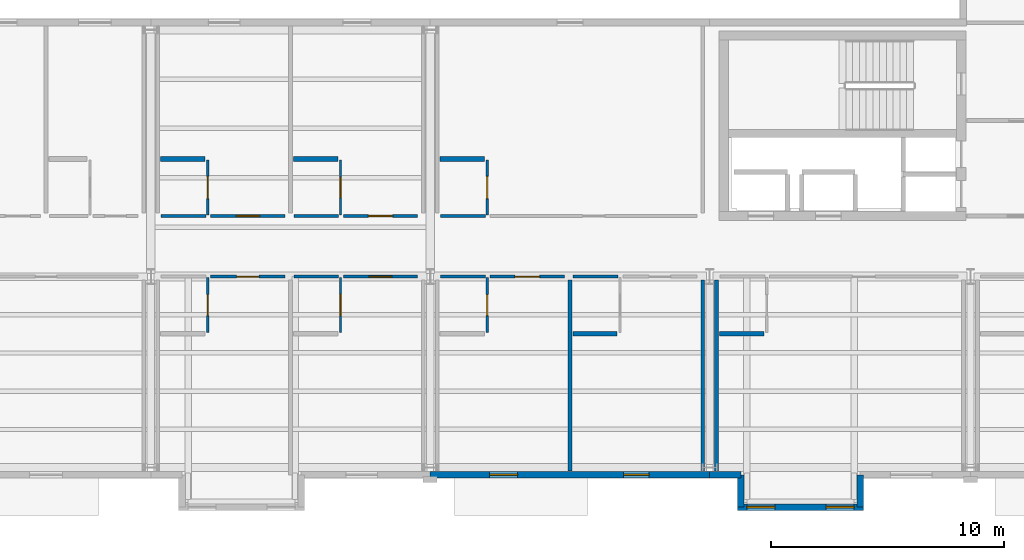
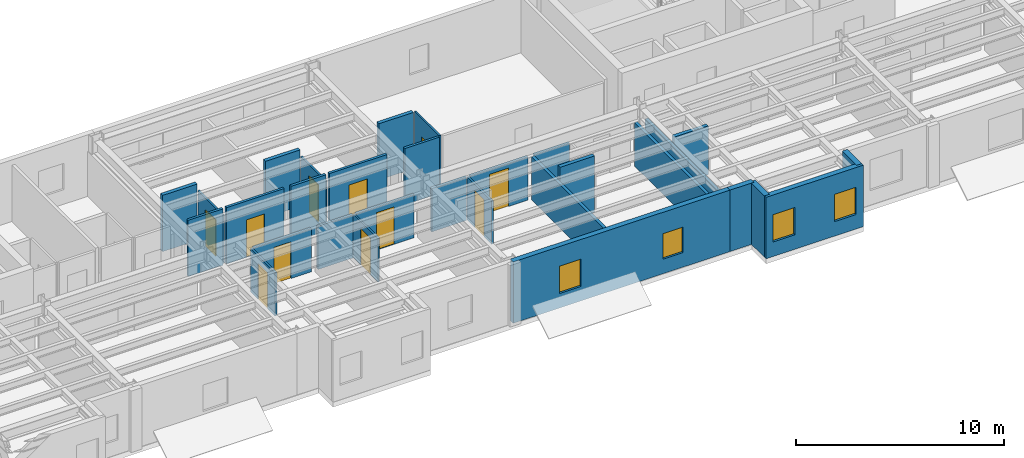
# One storey, part 20 of 34: 30 walls, 11 doors, 4 windows, 15 openings.
"""IFC4 building model written with IfcOpenShell, lengths in metres."""

from ifc_helpers import new_model, si_unit, direction, frame, frame_2d, origin, place, context, subcontext, project, spatial, rectangle, extrude, material, layer, layer_set, type_object, element, fill, save


model = new_model("IFC4")

# Units and contexts
model_context = context("Model", 3, precision=1e-05, world=origin(), true_north=direction((0.0, 1.0)))
body_context = subcontext(model_context, "Body", "Model", "MODEL_VIEW")
ifc_project = project(units=[si_unit("LENGTHUNIT", "METRE"), si_unit("AREAUNIT", "SQUARE_METRE"), si_unit("VOLUMEUNIT", "CUBIC_METRE"), si_unit("PLANEANGLEUNIT", "RADIAN"), si_unit("MASSUNIT", "GRAM", prefix="KILO")], contexts=[model_context])

# Site, building, storey
site_placement = place(None, origin())
site = spatial("IfcSite", under=ifc_project, at=site_placement, CompositionType="ELEMENT")
building_placement = place(site_placement, origin())
building = spatial("IfcBuilding", under=site, at=building_placement, Name="Sollismere Congress Hotel", CompositionType="ELEMENT")
storey_placement = place(building_placement, frame((0.0, 0.0, 23.39990234375)))
storey = spatial("IfcBuildingStorey", under=building, at=storey_placement, Name="L05", CompositionType="ELEMENT", Elevation=23.39990234375)

# Wall, openings, windows
ifc_material_1 = material(Name="Colorado Buff Sandstone Rainscreen on Insulated Backup", Category="masonry")
ifc_layer_1 = layer(ifc_material_1, 0.284912109375, Name="Colorado Buff Sandstone Rainscreen on Insulated Backup")
ifc_layer_set_1 = layer_set([ifc_layer_1], Name="Colorado Buff Sandstone Rainscreen on Insulated Backup")
wall_type_1 = type_object("IfcWallType", Name="WL-EXT285", PredefinedType="STANDARD", material=ifc_layer_set_1)
wall_1_placement = place(storey_placement, frame((124.0, -0.31005859375, 0.0), z_axis=(0.0, 0.0, 1.0), x_axis=(1.0, 0.0, 0.0)))
wall_1 = element("IfcWall", 1, at=wall_1_placement, inside=storey, type_object=wall_type_1, Name="Exterior wall EW-L05-597", PredefinedType="STANDARD", context=body_context, shape_type="SweptSolid", body=[
    extrude(rectangle(XDim=12.0, YDim=0.284912109375, at=frame_2d((6.0, 0.0))), origin(), (0.0, 0.0, 1.0), 3.60009765625),
])
opening_1_placement = place(wall_1_placement, frame((2.550048828125, 0.0, 0.85009765625)))
opening_1 = element("IfcOpeningElement", 2, at=opening_1_placement, cuts=wall_1, Name="Opening W-L05-446", PredefinedType="OPENING", context=body_context, shape_type="SweptSolid", body=[
    extrude(rectangle(XDim=1.199951171875, YDim=1.60009765625, at=frame_2d((0.60009765625, 0.800048828125))), frame((0.0, 0.15234375, 0.0), z_axis=(0.0, -1.0, 0.0), x_axis=(1.0, 0.0, 0.0)), (0.0, 0.0, 1.0), 0.304931640625),
])
opening_2_placement = place(wall_1_placement, frame((8.300048828125, 0.0, 0.85009765625)))
opening_2 = element("IfcOpeningElement", 3, at=opening_2_placement, cuts=wall_1, Name="Opening W-L05-447", PredefinedType="OPENING", context=body_context, shape_type="SweptSolid", body=[
    extrude(rectangle(XDim=1.10009765625, YDim=1.5, at=frame_2d((0.550048828125, 0.75))), frame((0.0, 0.15234375, 0.0), z_axis=(0.0, -1.0, 0.0), x_axis=(1.0, 0.0, 0.0)), (0.0, 0.0, 1.0), 0.304931640625),
])
ifc_material_2 = material(Name="Thermally Broken Bronze Aluminum & Low-E Glass", Category="aluminium")
window_type_1 = type_object("IfcWindowType", Name="WN-P110x150", PartitioningType="SINGLE_PANEL", PredefinedType="WINDOW", material=ifc_material_2)
window_1_placement = place(opening_2_placement, origin())
window_1 = element("IfcWindow", 4, at=window_1_placement, inside=storey, type_object=window_type_1, Name="WIN-W-L05-447", OverallHeight=1.5, OverallWidth=1.10009765625, PartitioningType="SINGLE_PANEL", PredefinedType="WINDOW", context=body_context, shape_type="SweptSolid", body=[
    extrude(rectangle(XDim=1.10009765625, YDim=1.5, at=frame_2d((0.550048828125, 0.75))), frame((0.0, 0.030029296875, 0.0), z_axis=(0.0, -1.0, 0.0), x_axis=(1.0, 0.0, 0.0)), (0.0, 0.0, 1.0), 0.06005859375),
])
fill(opening_2, window_1)
window_type_2 = type_object("IfcWindowType", Name="WN-P120x160", PartitioningType="SINGLE_PANEL", PredefinedType="WINDOW", material=ifc_material_2)
window_2_placement = place(opening_1_placement, origin())
window_2 = element("IfcWindow", 5, at=window_2_placement, inside=storey, type_object=window_type_2, Name="WIN-W-L05-446", OverallHeight=1.60009765625, OverallWidth=1.199951171875, PartitioningType="SINGLE_PANEL", PredefinedType="WINDOW", context=body_context, shape_type="SweptSolid", body=[
    extrude(rectangle(XDim=1.199951171875, YDim=1.60009765625, at=frame_2d((0.60009765625, 0.800048828125))), frame((0.0, 0.030029296875, 0.0), z_axis=(0.0, -1.0, 0.0), x_axis=(1.0, 0.0, 0.0)), (0.0, 0.0, 1.0), 0.06005859375),
])
fill(opening_1, window_2)

# Wall
wall_2_placement = place(storey_placement, frame((136.0, -0.31005859375, 0.0), z_axis=(0.0, 0.0, 1.0), x_axis=(1.0, 0.0, 0.0)))
element("IfcWall", 6, at=wall_2_placement, inside=storey, type_object=wall_type_1, Name="Exterior wall EW-L05-599", PredefinedType="STANDARD", context=body_context, shape_type="SweptSolid", body=[
    extrude(rectangle(XDim=1.340087890625, YDim=0.284912109375, at=frame_2d((0.669921875, 0.0))), origin(), (0.0, 0.0, 1.0), 3.60009765625),
])

# Wall, openings, windows
wall_3_placement = place(storey_placement, frame((137.199951171875, -1.699951171875, 0.0), z_axis=(0.0, 0.0, 1.0), x_axis=(1.0, 0.0, 0.0)))
wall_3 = element("IfcWall", 7, at=wall_3_placement, inside=storey, type_object=wall_type_1, Name="Exterior wall EW-L05-601", PredefinedType="STANDARD", context=body_context, shape_type="SweptSolid", body=[
    extrude(rectangle(XDim=5.400146484375, YDim=0.284912109375, at=frame_2d((2.7001953125, 0.0))), origin(), (0.0, 0.0, 1.0), 3.60009765625),
])
opening_3_placement = place(wall_3_placement, frame((0.39990234375, 0.0, 0.85009765625)))
opening_3 = element("IfcOpeningElement", 8, at=opening_3_placement, cuts=wall_3, Name="Opening W-L05-449", PredefinedType="OPENING", context=body_context, shape_type="SweptSolid", body=[
    extrude(rectangle(XDim=1.199951171875, YDim=1.60009765625, at=frame_2d((0.60009765625, 0.800048828125))), frame((0.0, 0.15234375, 0.0), z_axis=(0.0, -1.0, 0.0), x_axis=(1.0, 0.0, 0.0)), (0.0, 0.0, 1.0), 0.304931640625),
])
opening_4_placement = place(wall_3_placement, frame((3.800048828125, 0.0, 0.85009765625)))
opening_4 = element("IfcOpeningElement", 9, at=opening_4_placement, cuts=wall_3, Name="Opening W-L05-450", PredefinedType="OPENING", context=body_context, shape_type="SweptSolid", body=[
    extrude(rectangle(XDim=1.199951171875, YDim=1.60009765625, at=frame_2d((0.60009765625, 0.800048828125))), frame((0.0, 0.15234375, 0.0), z_axis=(0.0, -1.0, 0.0), x_axis=(1.0, 0.0, 0.0)), (0.0, 0.0, 1.0), 0.304931640625),
])
window_3_placement = place(opening_3_placement, origin())
window_3 = element("IfcWindow", 10, at=window_3_placement, inside=storey, type_object=window_type_2, Name="WIN-W-L05-449", OverallHeight=1.60009765625, OverallWidth=1.199951171875, PartitioningType="SINGLE_PANEL", PredefinedType="WINDOW", context=body_context, shape_type="SweptSolid", body=[
    extrude(rectangle(XDim=1.199951171875, YDim=1.60009765625, at=frame_2d((0.60009765625, 0.800048828125))), frame((0.0, 0.030029296875, 0.0), z_axis=(0.0, -1.0, 0.0), x_axis=(1.0, 0.0, 0.0)), (0.0, 0.0, 1.0), 0.06005859375),
])
fill(opening_3, window_3)
window_4_placement = place(opening_4_placement, origin())
window_4 = element("IfcWindow", 11, at=window_4_placement, inside=storey, type_object=window_type_2, Name="WIN-W-L05-450", OverallHeight=1.60009765625, OverallWidth=1.199951171875, PartitioningType="SINGLE_PANEL", PredefinedType="WINDOW", context=body_context, shape_type="SweptSolid", body=[
    extrude(rectangle(XDim=1.199951171875, YDim=1.60009765625, at=frame_2d((0.60009765625, 0.800048828125))), frame((0.0, 0.030029296875, 0.0), z_axis=(0.0, -1.0, 0.0), x_axis=(1.0, 0.0, 0.0)), (0.0, 0.0, 1.0), 0.06005859375),
])
fill(opening_4, window_4)

# Walls
for number, where, z_axis, x_axis, name in (
    (12, (137.340087890625, -0.31005859375, 0.0), (0.0, 0.0, 1.0), (0.0, -1.0, 0.0), "Exterior wall EW-L05-602"),
    (13, (142.4599609375, -1.699951171875, 0.0), (0.0, 0.0, 1.0), (0.0, 1.0, 0.0), "Exterior wall EW-L05-603"),
):
    element("IfcWall", number, at=place(storey_placement, frame(where, z_axis=z_axis, x_axis=x_axis)), inside=storey, type_object=wall_type_1, Name=name, PredefinedType="STANDARD", context=body_context, shape_type="SweptSolid", body=[
        extrude(rectangle(XDim=1.389892578125, YDim=0.284912109375, at=frame_2d((0.69482421875, 0.0))), origin(), (0.0, 0.0, 1.0), 3.60009765625),
    ])
ifc_material_3 = material(Name="Moisture-Resistant Shaft Gypsum Assembly")
ifc_layer_2 = layer(ifc_material_3, 0.199951171875, Name="Moisture-Resistant Shaft Gypsum Assembly")
ifc_layer_set_2 = layer_set([ifc_layer_2], Name="Moisture-Resistant Shaft Gypsum Assembly")
wall_type_2 = type_object("IfcWallType", Name="WL-PLM200", PredefinedType="PLUMBINGWALL", material=ifc_layer_set_2)
wall_4_placement = place(storey_placement, frame((112.419921875, 13.25, 0.0), z_axis=(0.0, 0.0, 1.0), x_axis=(1.0, 0.0, 0.0)))
element("IfcWall", 14, at=wall_4_placement, inside=storey, type_object=wall_type_2, Name="Interior wall IW-L05-1847", PredefinedType="PLUMBINGWALL", context=body_context, shape_type="SweptSolid", body=[
    extrude(rectangle(XDim=1.91015625, YDim=0.199951171875, at=frame_2d((0.955078125, 0.0))), origin(), (0.0, 0.0, 1.0), 3.300048828125),
])
for number, where, z_axis, x_axis, name in (
    (15, (118.1201171875, 13.25, 0.0), (0.0, 0.0, 1.0), (1.0, 0.0, 0.0), "Interior wall IW-L05-1852"),
    (16, (130.1201171875, 5.75, 0.0), (0.0, 0.0, 1.0), (1.0, 0.0, 0.0), "Interior wall IW-L05-1863"),
):
    element("IfcWall", number, at=place(storey_placement, frame(where, z_axis=z_axis, x_axis=x_axis)), inside=storey, type_object=wall_type_2, Name=name, PredefinedType="PLUMBINGWALL", context=body_context, shape_type="SweptSolid", body=[
        extrude(rectangle(XDim=1.909912109375, YDim=0.199951171875, at=frame_2d((0.955078125, 0.0))), origin(), (0.0, 0.0, 1.0), 3.300048828125),
    ])
wall_5_placement = place(storey_placement, frame((124.419921875, 13.25, 0.0), z_axis=(0.0, 0.0, 1.0), x_axis=(1.0, 0.0, 0.0)))
element("IfcWall", 17, at=wall_5_placement, inside=storey, type_object=wall_type_2, Name="Interior wall IW-L05-1869", PredefinedType="PLUMBINGWALL", context=body_context, shape_type="SweptSolid", body=[
    extrude(rectangle(XDim=1.91015625, YDim=0.199951171875, at=frame_2d((0.955078125, 0.0))), origin(), (0.0, 0.0, 1.0), 3.300048828125),
])
wall_6_placement = place(storey_placement, frame((136.419921875, 5.75, 0.0), z_axis=(0.0, 0.0, 1.0), x_axis=(1.0, 0.0, 0.0)))
element("IfcWall", 18, at=wall_6_placement, inside=storey, type_object=wall_type_2, Name="Interior wall IW-L05-1875", PredefinedType="PLUMBINGWALL", context=body_context, shape_type="SweptSolid", body=[
    extrude(rectangle(XDim=1.91015625, YDim=0.199951171875, at=frame_2d((0.955078125, 0.0))), origin(), (0.0, 0.0, 1.0), 2.85302734375),
])

# Wall, opening, door
ifc_material_4 = material(Name="Moisture-Resistant Gypsum Partition")
ifc_layer_3 = layer(ifc_material_4, 0.10009765625, Name="Moisture-Resistant Gypsum Partition")
ifc_layer_set_3 = layer_set([ifc_layer_3], Name="Moisture-Resistant Gypsum Partition")
wall_type_3 = type_object("IfcWallType", Name="WL-PRT100", PredefinedType="PARTITIONING", material=ifc_layer_set_3)
wall_7_placement = place(storey_placement, frame((114.449951171875, 5.7900390625, 0.0), z_axis=(0.0, 0.0, 1.0), x_axis=(0.0, 1.0, 0.0)))
wall_7 = element("IfcWall", 19, at=wall_7_placement, inside=storey, type_object=wall_type_3, Name="Interior wall IW-L05-1835", PredefinedType="PARTITIONING", context=body_context, shape_type="SweptSolid", body=[
    extrude(rectangle(XDim=2.369873046875, YDim=0.10009765625, at=frame_2d((1.18505859375, 0.0))), origin(), (0.0, 0.0, 1.0), 2.5380859375),
])
opening_5_placement = place(wall_7_placement, frame((0.73291015625, 0.0, 0.0)))
opening_5 = element("IfcOpeningElement", 20, at=opening_5_placement, cuts=wall_7, Name="Opening D-L05-0648", PredefinedType="OPENING", context=body_context, shape_type="SweptSolid", body=[
    extrude(rectangle(XDim=0.905029296875, YDim=2.10009765625, at=frame_2d((0.45263671875, 1.050048828125))), frame((0.0, 0.06005859375, 0.0), z_axis=(0.0, -1.0, 0.0), x_axis=(1.0, 0.0, 0.0)), (0.0, 0.0, 1.0), 0.1201171875),
])
ifc_material_5 = material(Name="Moisture-Sealed Timber Bathroom Door", Category="wood")
door_type_1 = type_object("IfcDoorType", Name="DR-BT02", OperationType="NOTDEFINED", PredefinedType="DOOR", material=ifc_material_5)
door_1_placement = place(opening_5_placement, origin())
door_1 = element("IfcDoor", 21, at=door_1_placement, inside=storey, type_object=door_type_1, Name="En-suite bathroom door D-L05-0648", OperationType="SINGLE_SWING_LEFT", OverallHeight=2.10009765625, OverallWidth=0.905029296875, PredefinedType="DOOR", context=body_context, shape_type="SweptSolid", body=[
    extrude(rectangle(XDim=0.905029296875, YDim=2.10009765625, at=frame_2d((0.45263671875, 1.050048828125))), frame((0.0, 0.02490234375, 0.0), z_axis=(0.0, -1.0, 0.0), x_axis=(1.0, 0.0, 0.0)), (0.0, 0.0, 1.0), 0.050048828125),
])
fill(opening_5, door_1)

wall_8_placement = place(storey_placement, frame((120.14990234375, 5.7900390625, 0.0), z_axis=(0.0, 0.0, 1.0), x_axis=(0.0, 1.0, 0.0)))
wall_8 = element("IfcWall", 22, at=wall_8_placement, inside=storey, type_object=wall_type_3, Name="Interior wall IW-L05-1840", PredefinedType="PARTITIONING", context=body_context, shape_type="SweptSolid", body=[
    extrude(rectangle(XDim=2.369873046875, YDim=0.10009765625, at=frame_2d((1.18505859375, 0.0))), origin(), (0.0, 0.0, 1.0), 2.5380859375),
])
opening_6_placement = place(wall_8_placement, frame((0.719970703125, 0.0, 0.0)))
opening_6 = element("IfcOpeningElement", 23, at=opening_6_placement, cuts=wall_8, Name="Opening D-L05-0650", PredefinedType="OPENING", context=body_context, shape_type="SweptSolid", body=[
    extrude(rectangle(XDim=0.929931640625, YDim=2.139892578125, at=frame_2d((0.46484375, 1.06982421875))), frame((0.0, 0.06005859375, 0.0), z_axis=(0.0, -1.0, 0.0), x_axis=(1.0, 0.0, 0.0)), (0.0, 0.0, 1.0), 0.1201171875),
])
door_type_2 = type_object("IfcDoorType", Name="DR-BT03", OperationType="NOTDEFINED", PredefinedType="DOOR", material=ifc_material_5)
door_2_placement = place(opening_6_placement, origin())
door_2 = element("IfcDoor", 24, at=door_2_placement, inside=storey, type_object=door_type_2, Name="En-suite bathroom door D-L05-0650", OperationType="SINGLE_SWING_LEFT", OverallHeight=2.139892578125, OverallWidth=0.929931640625, PredefinedType="DOOR", context=body_context, shape_type="SweptSolid", body=[
    extrude(rectangle(XDim=0.929931640625, YDim=2.139892578125, at=frame_2d((0.46484375, 1.06982421875))), frame((0.0, 0.02490234375, 0.0), z_axis=(0.0, -1.0, 0.0), x_axis=(1.0, 0.0, 0.0)), (0.0, 0.0, 1.0), 0.050048828125),
])
fill(opening_6, door_2)

wall_9_placement = place(storey_placement, frame((114.449951171875, 10.840087890625, 0.0), z_axis=(0.0, 0.0, 1.0), x_axis=(0.0, 1.0, 0.0)))
wall_9 = element("IfcWall", 25, at=wall_9_placement, inside=storey, type_object=wall_type_3, Name="Interior wall IW-L05-1846", PredefinedType="PARTITIONING", context=body_context, shape_type="SweptSolid", body=[
    extrude(rectangle(XDim=2.369873046875, YDim=0.10009765625, at=frame_2d((1.18505859375, 0.0))), origin(), (0.0, 0.0, 1.0), 2.858154296875),
])
opening_7_placement = place(wall_9_placement, frame((0.7080078125, 0.0, 0.0)))
opening_7 = element("IfcOpeningElement", 26, at=opening_7_placement, cuts=wall_9, Name="Opening D-L05-0652", PredefinedType="OPENING", context=body_context, shape_type="SweptSolid", body=[
    extrude(rectangle(XDim=0.955078125, YDim=2.139892578125, at=frame_2d((0.4775390625, 1.06982421875))), frame((0.0, 0.06005859375, 0.0), z_axis=(0.0, -1.0, 0.0), x_axis=(1.0, 0.0, 0.0)), (0.0, 0.0, 1.0), 0.1201171875),
])
door_type_3 = type_object("IfcDoorType", Name="DR-BT04", OperationType="NOTDEFINED", PredefinedType="DOOR", material=ifc_material_5)
door_3_placement = place(opening_7_placement, origin())
door_3 = element("IfcDoor", 27, at=door_3_placement, inside=storey, type_object=door_type_3, Name="En-suite bathroom door D-L05-0652", OperationType="SINGLE_SWING_LEFT", OverallHeight=2.139892578125, OverallWidth=0.955078125, PredefinedType="DOOR", context=body_context, shape_type="SweptSolid", body=[
    extrude(rectangle(XDim=0.955078125, YDim=2.139892578125, at=frame_2d((0.4775390625, 1.06982421875))), frame((0.0, 0.02490234375, 0.0), z_axis=(0.0, -1.0, 0.0), x_axis=(1.0, 0.0, 0.0)), (0.0, 0.0, 1.0), 0.050048828125),
])
fill(opening_7, door_3)

wall_10_placement = place(storey_placement, frame((120.14990234375, 10.840087890625, 0.0), z_axis=(0.0, 0.0, 1.0), x_axis=(0.0, 1.0, 0.0)))
wall_10 = element("IfcWall", 28, at=wall_10_placement, inside=storey, type_object=wall_type_3, Name="Interior wall IW-L05-1851", PredefinedType="PARTITIONING", context=body_context, shape_type="SweptSolid", body=[
    extrude(rectangle(XDim=2.369873046875, YDim=0.10009765625, at=frame_2d((1.18505859375, 0.0))), origin(), (0.0, 0.0, 1.0), 2.858154296875),
])
opening_8_placement = place(wall_10_placement, frame((0.7451171875, 0.0, 0.0)))
opening_8 = element("IfcOpeningElement", 29, at=opening_8_placement, cuts=wall_10, Name="Opening D-L05-0654", PredefinedType="OPENING", context=body_context, shape_type="SweptSolid", body=[
    extrude(rectangle(XDim=0.8798828125, YDim=2.179931640625, at=frame_2d((0.43994140625, 1.08984375))), frame((0.0, 0.06005859375, 0.0), z_axis=(0.0, -1.0, 0.0), x_axis=(1.0, 0.0, 0.0)), (0.0, 0.0, 1.0), 0.1201171875),
])
door_type_4 = type_object("IfcDoorType", Name="DR-BT05", OperationType="NOTDEFINED", PredefinedType="DOOR", material=ifc_material_5)
door_4_placement = place(opening_8_placement, origin())
door_4 = element("IfcDoor", 30, at=door_4_placement, inside=storey, type_object=door_type_4, Name="En-suite bathroom door D-L05-0654", OperationType="SINGLE_SWING_LEFT", OverallHeight=2.179931640625, OverallWidth=0.8798828125, PredefinedType="DOOR", context=body_context, shape_type="SweptSolid", body=[
    extrude(rectangle(XDim=0.8798828125, YDim=2.179931640625, at=frame_2d((0.43994140625, 1.08984375))), frame((0.0, 0.02490234375, 0.0), z_axis=(0.0, -1.0, 0.0), x_axis=(1.0, 0.0, 0.0)), (0.0, 0.0, 1.0), 0.050048828125),
])
fill(opening_8, door_4)

wall_11_placement = place(storey_placement, frame((126.449951171875, 5.7900390625, 0.0), z_axis=(0.0, 0.0, 1.0), x_axis=(0.0, 1.0, 0.0)))
wall_11 = element("IfcWall", 31, at=wall_11_placement, inside=storey, type_object=wall_type_3, Name="Interior wall IW-L05-1857", PredefinedType="PARTITIONING", context=body_context, shape_type="SweptSolid", body=[
    extrude(rectangle(XDim=2.369873046875, YDim=0.10009765625, at=frame_2d((1.18505859375, 0.0))), origin(), (0.0, 0.0, 1.0), 2.5380859375),
])
opening_9_placement = place(wall_11_placement, frame((0.73291015625, 0.0, 0.0)))
opening_9 = element("IfcOpeningElement", 32, at=opening_9_placement, cuts=wall_11, Name="Opening D-L05-0656", PredefinedType="OPENING", context=body_context, shape_type="SweptSolid", body=[
    extrude(rectangle(XDim=0.905029296875, YDim=2.179931640625, at=frame_2d((0.45263671875, 1.08984375))), frame((0.0, 0.06005859375, 0.0), z_axis=(0.0, -1.0, 0.0), x_axis=(1.0, 0.0, 0.0)), (0.0, 0.0, 1.0), 0.1201171875),
])
door_type_5 = type_object("IfcDoorType", Name="DR-BT06", OperationType="NOTDEFINED", PredefinedType="DOOR", material=ifc_material_5)
door_5_placement = place(opening_9_placement, origin())
door_5 = element("IfcDoor", 33, at=door_5_placement, inside=storey, type_object=door_type_5, Name="En-suite bathroom door D-L05-0656", OperationType="SINGLE_SWING_LEFT", OverallHeight=2.179931640625, OverallWidth=0.905029296875, PredefinedType="DOOR", context=body_context, shape_type="SweptSolid", body=[
    extrude(rectangle(XDim=0.905029296875, YDim=2.179931640625, at=frame_2d((0.45263671875, 1.08984375))), frame((0.0, 0.02490234375, 0.0), z_axis=(0.0, -1.0, 0.0), x_axis=(1.0, 0.0, 0.0)), (0.0, 0.0, 1.0), 0.050048828125),
])
fill(opening_9, door_5)

wall_12_placement = place(storey_placement, frame((126.449951171875, 10.840087890625, 0.0), z_axis=(0.0, 0.0, 1.0), x_axis=(0.0, 1.0, 0.0)))
wall_12 = element("IfcWall", 34, at=wall_12_placement, inside=storey, type_object=wall_type_3, Name="Interior wall IW-L05-1868", PredefinedType="PARTITIONING", context=body_context, shape_type="SweptSolid", body=[
    extrude(rectangle(XDim=2.369873046875, YDim=0.10009765625, at=frame_2d((1.18505859375, 0.0))), origin(), (0.0, 0.0, 1.0), 3.300048828125),
])
opening_10_placement = place(wall_12_placement, frame((0.7080078125, 0.0, 0.0)))
opening_10 = element("IfcOpeningElement", 35, at=opening_10_placement, cuts=wall_12, Name="Opening D-L05-0660", PredefinedType="OPENING", context=body_context, shape_type="SweptSolid", body=[
    extrude(rectangle(XDim=0.955078125, YDim=2.219970703125, at=frame_2d((0.4775390625, 1.10986328125))), frame((0.0, 0.06005859375, 0.0), z_axis=(0.0, -1.0, 0.0), x_axis=(1.0, 0.0, 0.0)), (0.0, 0.0, 1.0), 0.1201171875),
])
door_type_6 = type_object("IfcDoorType", Name="DR-BT08", OperationType="NOTDEFINED", PredefinedType="DOOR", material=ifc_material_5)
door_6_placement = place(opening_10_placement, origin())
door_6 = element("IfcDoor", 36, at=door_6_placement, inside=storey, type_object=door_type_6, Name="En-suite bathroom door D-L05-0660", OperationType="SINGLE_SWING_LEFT", OverallHeight=2.219970703125, OverallWidth=0.955078125, PredefinedType="DOOR", context=body_context, shape_type="SweptSolid", body=[
    extrude(rectangle(XDim=0.955078125, YDim=2.219970703125, at=frame_2d((0.4775390625, 1.10986328125))), frame((0.0, 0.02490234375, 0.0), z_axis=(0.0, -1.0, 0.0), x_axis=(1.0, 0.0, 0.0)), (0.0, 0.0, 1.0), 0.050048828125),
])
fill(opening_10, door_6)

ifc_material_6 = material(Name="Fire-Rated Gypsum Partition")
ifc_layer_4 = layer(ifc_material_6, 0.139892578125, Name="Fire-Rated Gypsum Partition")
ifc_layer_set_4 = layer_set([ifc_layer_4], Name="Fire-Rated Gypsum Partition")
wall_type_4 = type_object("IfcWallType", Name="WL-PRT140R", PredefinedType="PARTITIONING", material=ifc_layer_set_4)
wall_13_placement = place(storey_placement, frame((114.570068359375, 8.199951171875, 0.0), z_axis=(0.0, 0.0, 1.0), x_axis=(1.0, 0.0, 0.0)))
wall_13 = element("IfcWall", 37, at=wall_13_placement, inside=storey, type_object=wall_type_4, Name="Interior wall IW-L05-1832", PredefinedType="PARTITIONING", context=body_context, shape_type="SweptSolid", body=[
    extrude(rectangle(XDim=3.18994140625, YDim=0.139892578125, at=frame_2d((1.594970703125, 0.0))), origin(), (0.0, 0.0, 1.0), 2.5380859375),
])
opening_11_placement = place(wall_13_placement, frame((1.1201171875, 0.0, 0.0)))
opening_11 = element("IfcOpeningElement", 38, at=opening_11_placement, cuts=wall_13, Name="Opening D-L05-0647", PredefinedType="OPENING", context=body_context, shape_type="SweptSolid", body=[
    extrude(rectangle(XDim=0.949951171875, YDim=2.14990234375, at=frame_2d((0.47509765625, 1.074951171875))), frame((0.0, 0.079833984375, 0.0), z_axis=(0.0, -1.0, 0.0), x_axis=(1.0, 0.0, 0.0)), (0.0, 0.0, 1.0), 0.159912109375),
])
ifc_material_7 = material(Name="Solid-Core Acoustic Walnut Guestroom Entry Door")
door_type_7 = type_object("IfcDoorType", Name="DR-KY02", OperationType="NOTDEFINED", PredefinedType="DOOR", material=ifc_material_7)
door_7_placement = place(opening_11_placement, origin())
door_7 = element("IfcDoor", 39, at=door_7_placement, inside=storey, type_object=door_type_7, Name="Hotel room entry door D-L05-0647", OperationType="SINGLE_SWING_RIGHT", OverallHeight=2.14990234375, OverallWidth=0.949951171875, PredefinedType="DOOR", context=body_context, shape_type="SweptSolid", body=[
    extrude(rectangle(XDim=0.949951171875, YDim=2.14990234375, at=frame_2d((0.47509765625, 1.074951171875))), frame((0.0, 0.02490234375, 0.0), z_axis=(0.0, -1.0, 0.0), x_axis=(1.0, 0.0, 0.0)), (0.0, 0.0, 1.0), 0.050048828125),
])
fill(opening_11, door_7)

# Wall
wall_14_placement = place(storey_placement, frame((118.139892578125, 8.199951171875, 0.0), z_axis=(0.0, 0.0, 1.0), x_axis=(1.0, 0.0, 0.0)))
element("IfcWall", 40, at=wall_14_placement, inside=storey, type_object=wall_type_4, Name="Interior wall IW-L05-1837", PredefinedType="PARTITIONING", context=body_context, shape_type="SweptSolid", body=[
    extrude(rectangle(XDim=1.93017578125, YDim=0.139892578125, at=frame_2d((0.965087890625, 0.0))), origin(), (0.0, 0.0, 1.0), 2.5380859375),
])

# Wall, opening, door
wall_15_placement = place(storey_placement, frame((120.27001953125, 8.199951171875, 0.0), z_axis=(0.0, 0.0, 1.0), x_axis=(1.0, 0.0, 0.0)))
wall_15 = element("IfcWall", 41, at=wall_15_placement, inside=storey, type_object=wall_type_4, Name="Interior wall IW-L05-1838", PredefinedType="PARTITIONING", context=body_context, shape_type="SweptSolid", body=[
    extrude(rectangle(XDim=3.18994140625, YDim=0.139892578125, at=frame_2d((1.594970703125, 0.0))), origin(), (0.0, 0.0, 1.0), 2.5380859375),
])
opening_12_placement = place(wall_15_placement, frame((1.10498046875, 0.0, 0.0)))
opening_12 = element("IfcOpeningElement", 42, at=opening_12_placement, cuts=wall_15, Name="Opening D-L05-0649", PredefinedType="OPENING", context=body_context, shape_type="SweptSolid", body=[
    extrude(rectangle(XDim=0.97998046875, YDim=2.199951171875, at=frame_2d((0.489990234375, 1.10009765625))), frame((0.0, 0.079833984375, 0.0), z_axis=(0.0, -1.0, 0.0), x_axis=(1.0, 0.0, 0.0)), (0.0, 0.0, 1.0), 0.159912109375),
])
door_type_8 = type_object("IfcDoorType", Name="DR-KY03", OperationType="NOTDEFINED", PredefinedType="DOOR", material=ifc_material_7)
door_8_placement = place(opening_12_placement, origin())
door_8 = element("IfcDoor", 43, at=door_8_placement, inside=storey, type_object=door_type_8, Name="Hotel room entry door D-L05-0649", OperationType="SINGLE_SWING_RIGHT", OverallHeight=2.199951171875, OverallWidth=0.97998046875, PredefinedType="DOOR", context=body_context, shape_type="SweptSolid", body=[
    extrude(rectangle(XDim=0.97998046875, YDim=2.199951171875, at=frame_2d((0.489990234375, 1.10009765625))), frame((0.0, 0.02490234375, 0.0), z_axis=(0.0, -1.0, 0.0), x_axis=(1.0, 0.0, 0.0)), (0.0, 0.0, 1.0), 0.050048828125),
])
fill(opening_12, door_8)

# Wall
wall_16_placement = place(storey_placement, frame((112.43994140625, 10.800048828125, 0.0), z_axis=(0.0, 0.0, 1.0), x_axis=(1.0, 0.0, 0.0)))
element("IfcWall", 44, at=wall_16_placement, inside=storey, type_object=wall_type_4, Name="Interior wall IW-L05-1842", PredefinedType="PARTITIONING", context=body_context, shape_type="SweptSolid", body=[
    extrude(rectangle(XDim=1.93017578125, YDim=0.139892578125, at=frame_2d((0.965087890625, 0.0))), origin(), (0.0, 0.0, 1.0), 3.300048828125),
])

# Wall, opening, door
wall_17_placement = place(storey_placement, frame((114.570068359375, 10.800048828125, 0.0), z_axis=(0.0, 0.0, 1.0), x_axis=(1.0, 0.0, 0.0)))
wall_17 = element("IfcWall", 45, at=wall_17_placement, inside=storey, type_object=wall_type_4, Name="Interior wall IW-L05-1843", PredefinedType="PARTITIONING", context=body_context, shape_type="SweptSolid", body=[
    extrude(rectangle(XDim=3.18994140625, YDim=0.139892578125, at=frame_2d((1.594970703125, 0.0))), origin(), (0.0, 0.0, 1.0), 3.300048828125),
])
opening_13_placement = place(wall_17_placement, frame((1.090087890625, 0.0, 0.0)))
opening_13 = element("IfcOpeningElement", 46, at=opening_13_placement, cuts=wall_17, Name="Opening D-L05-0651", PredefinedType="OPENING", context=body_context, shape_type="SweptSolid", body=[
    extrude(rectangle(XDim=1.010009765625, YDim=2.199951171875, at=frame_2d((0.5048828125, 1.10009765625))), frame((0.0, 0.079833984375, 0.0), z_axis=(0.0, -1.0, 0.0), x_axis=(1.0, 0.0, 0.0)), (0.0, 0.0, 1.0), 0.159912109375),
])
door_type_9 = type_object("IfcDoorType", Name="DR-KY04", OperationType="NOTDEFINED", PredefinedType="DOOR", material=ifc_material_7)
door_9_placement = place(opening_13_placement, origin())
door_9 = element("IfcDoor", 47, at=door_9_placement, inside=storey, type_object=door_type_9, Name="Hotel room entry door D-L05-0651", OperationType="SINGLE_SWING_RIGHT", OverallHeight=2.199951171875, OverallWidth=1.010009765625, PredefinedType="DOOR", context=body_context, shape_type="SweptSolid", body=[
    extrude(rectangle(XDim=1.010009765625, YDim=2.199951171875, at=frame_2d((0.5048828125, 1.10009765625))), frame((0.0, 0.02490234375, 0.0), z_axis=(0.0, -1.0, 0.0), x_axis=(1.0, 0.0, 0.0)), (0.0, 0.0, 1.0), 0.050048828125),
])
fill(opening_13, door_9)

# Wall
wall_18_placement = place(storey_placement, frame((118.139892578125, 10.800048828125, 0.0), z_axis=(0.0, 0.0, 1.0), x_axis=(1.0, 0.0, 0.0)))
element("IfcWall", 48, at=wall_18_placement, inside=storey, type_object=wall_type_4, Name="Interior wall IW-L05-1848", PredefinedType="PARTITIONING", context=body_context, shape_type="SweptSolid", body=[
    extrude(rectangle(XDim=1.93017578125, YDim=0.139892578125, at=frame_2d((0.965087890625, 0.0))), origin(), (0.0, 0.0, 1.0), 3.300048828125),
])

# Wall, opening, door
wall_19_placement = place(storey_placement, frame((120.27001953125, 10.800048828125, 0.0), z_axis=(0.0, 0.0, 1.0), x_axis=(1.0, 0.0, 0.0)))
wall_19 = element("IfcWall", 49, at=wall_19_placement, inside=storey, type_object=wall_type_4, Name="Interior wall IW-L05-1849", PredefinedType="PARTITIONING", context=body_context, shape_type="SweptSolid", body=[
    extrude(rectangle(XDim=3.18994140625, YDim=0.139892578125, at=frame_2d((1.594970703125, 0.0))), origin(), (0.0, 0.0, 1.0), 3.300048828125),
])
opening_14_placement = place(wall_19_placement, frame((1.074951171875, 0.0, 0.0)))
opening_14 = element("IfcOpeningElement", 50, at=opening_14_placement, cuts=wall_19, Name="Opening D-L05-0653", PredefinedType="OPENING", context=body_context, shape_type="SweptSolid", body=[
    extrude(rectangle(XDim=1.0400390625, YDim=2.25, at=frame_2d((0.52001953125, 1.125))), frame((0.0, 0.079833984375, 0.0), z_axis=(0.0, -1.0, 0.0), x_axis=(1.0, 0.0, 0.0)), (0.0, 0.0, 1.0), 0.159912109375),
])
door_type_10 = type_object("IfcDoorType", Name="DR-KY05", OperationType="NOTDEFINED", PredefinedType="DOOR", material=ifc_material_7)
door_10_placement = place(opening_14_placement, origin())
door_10 = element("IfcDoor", 51, at=door_10_placement, inside=storey, type_object=door_type_10, Name="Hotel room entry door D-L05-0653", OperationType="SINGLE_SWING_RIGHT", OverallHeight=2.25, OverallWidth=1.0400390625, PredefinedType="DOOR", context=body_context, shape_type="SweptSolid", body=[
    extrude(rectangle(XDim=1.0400390625, YDim=2.25, at=frame_2d((0.52001953125, 1.125))), frame((0.0, 0.02490234375, 0.0), z_axis=(0.0, -1.0, 0.0), x_axis=(1.0, 0.0, 0.0)), (0.0, 0.0, 1.0), 0.050048828125),
])
fill(opening_14, door_10)

# Wall
wall_20_placement = place(storey_placement, frame((124.43994140625, 8.199951171875, 0.0), z_axis=(0.0, 0.0, 1.0), x_axis=(1.0, 0.0, 0.0)))
element("IfcWall", 52, at=wall_20_placement, inside=storey, type_object=wall_type_4, Name="Interior wall IW-L05-1853", PredefinedType="PARTITIONING", context=body_context, shape_type="SweptSolid", body=[
    extrude(rectangle(XDim=1.93017578125, YDim=0.139892578125, at=frame_2d((0.965087890625, 0.0))), origin(), (0.0, 0.0, 1.0), 2.5380859375),
])

# Wall, opening, door
wall_21_placement = place(storey_placement, frame((126.570068359375, 8.199951171875, 0.0), z_axis=(0.0, 0.0, 1.0), x_axis=(1.0, 0.0, 0.0)))
wall_21 = element("IfcWall", 53, at=wall_21_placement, inside=storey, type_object=wall_type_4, Name="Interior wall IW-L05-1854", PredefinedType="PARTITIONING", context=body_context, shape_type="SweptSolid", body=[
    extrude(rectangle(XDim=3.18994140625, YDim=0.139892578125, at=frame_2d((1.594970703125, 0.0))), origin(), (0.0, 0.0, 1.0), 2.5380859375),
])
opening_15_placement = place(wall_21_placement, frame((1.06005859375, 0.0, 0.0)))
opening_15 = element("IfcOpeningElement", 54, at=opening_15_placement, cuts=wall_21, Name="Opening D-L05-0655", PredefinedType="OPENING", context=body_context, shape_type="SweptSolid", body=[
    extrude(rectangle(XDim=1.070068359375, YDim=2.25, at=frame_2d((0.53515625, 1.125))), frame((0.0, 0.079833984375, 0.0), z_axis=(0.0, -1.0, 0.0), x_axis=(1.0, 0.0, 0.0)), (0.0, 0.0, 1.0), 0.159912109375),
])
door_type_11 = type_object("IfcDoorType", Name="DR-KY06", OperationType="NOTDEFINED", PredefinedType="DOOR", material=ifc_material_7)
door_11_placement = place(opening_15_placement, origin())
door_11 = element("IfcDoor", 55, at=door_11_placement, inside=storey, type_object=door_type_11, Name="Hotel room entry door D-L05-0655", OperationType="SINGLE_SWING_RIGHT", OverallHeight=2.25, OverallWidth=1.070068359375, PredefinedType="DOOR", context=body_context, shape_type="SweptSolid", body=[
    extrude(rectangle(XDim=1.070068359375, YDim=2.25, at=frame_2d((0.53515625, 1.125))), frame((0.0, 0.02490234375, 0.0), z_axis=(0.0, -1.0, 0.0), x_axis=(1.0, 0.0, 0.0)), (0.0, 0.0, 1.0), 0.050048828125),
])
fill(opening_15, door_11)

# Walls
wall_22_placement = place(storey_placement, frame((130.139892578125, 8.199951171875, 0.0), z_axis=(0.0, 0.0, 1.0), x_axis=(1.0, 0.0, 0.0)))
element("IfcWall", 56, at=wall_22_placement, inside=storey, type_object=wall_type_4, Name="Interior wall IW-L05-1859", PredefinedType="PARTITIONING", context=body_context, shape_type="SweptSolid", body=[
    extrude(rectangle(XDim=1.93017578125, YDim=0.139892578125, at=frame_2d((0.965087890625, 0.0))), origin(), (0.0, 0.0, 1.0), 2.5380859375),
])
wall_23_placement = place(storey_placement, frame((124.43994140625, 10.800048828125, 0.0), z_axis=(0.0, 0.0, 1.0), x_axis=(1.0, 0.0, 0.0)))
element("IfcWall", 57, at=wall_23_placement, inside=storey, type_object=wall_type_4, Name="Interior wall IW-L05-1864", PredefinedType="PARTITIONING", context=body_context, shape_type="SweptSolid", body=[
    extrude(rectangle(XDim=1.93017578125, YDim=0.139892578125, at=frame_2d((0.965087890625, 0.0))), origin(), (0.0, 0.0, 1.0), 3.300048828125),
])
ifc_material_8 = material(Name="Fire-Rated Acoustic Gypsum Partition")
ifc_layer_5 = layer(ifc_material_8, 0.1650390625, Name="Fire-Rated Acoustic Gypsum Partition")
ifc_layer_set_5 = layer_set([ifc_layer_5], Name="Fire-Rated Acoustic Gypsum Partition")
wall_type_5 = type_object("IfcWallType", Name="WL-PRT165R", PredefinedType="PARTITIONING", material=ifc_layer_set_5)
for number, where, z_axis, x_axis, name in (
    (58, (130.0, -0.152587890625, 0.0), (0.0, 0.0, 1.0), (0.0, 1.0, 0.0), "Interior wall IW-L05-1856"),
    (59, (135.699951171875, -0.152587890625, 0.0), (0.0, 0.0, 1.0), (0.0, 1.0, 0.0), "Interior wall IW-L05-1861"),
    (60, (136.300048828125, -0.152587890625, 0.0), (0.0, 0.0, 1.0), (0.0, 1.0, 0.0), "Interior wall IW-L05-1872"),
):
    element("IfcWall", number, at=place(storey_placement, frame(where, z_axis=z_axis, x_axis=x_axis)), inside=storey, type_object=wall_type_5, Name=name, PredefinedType="PARTITIONING", context=body_context, shape_type="SweptSolid", body=[
        extrude(rectangle(XDim=8.212646484375, YDim=0.1650390625, at=frame_2d((4.1064453125, 0.0))), origin(), (0.0, 0.0, 1.0), 2.5380859375),
    ])

save(model, "model.ifc")
